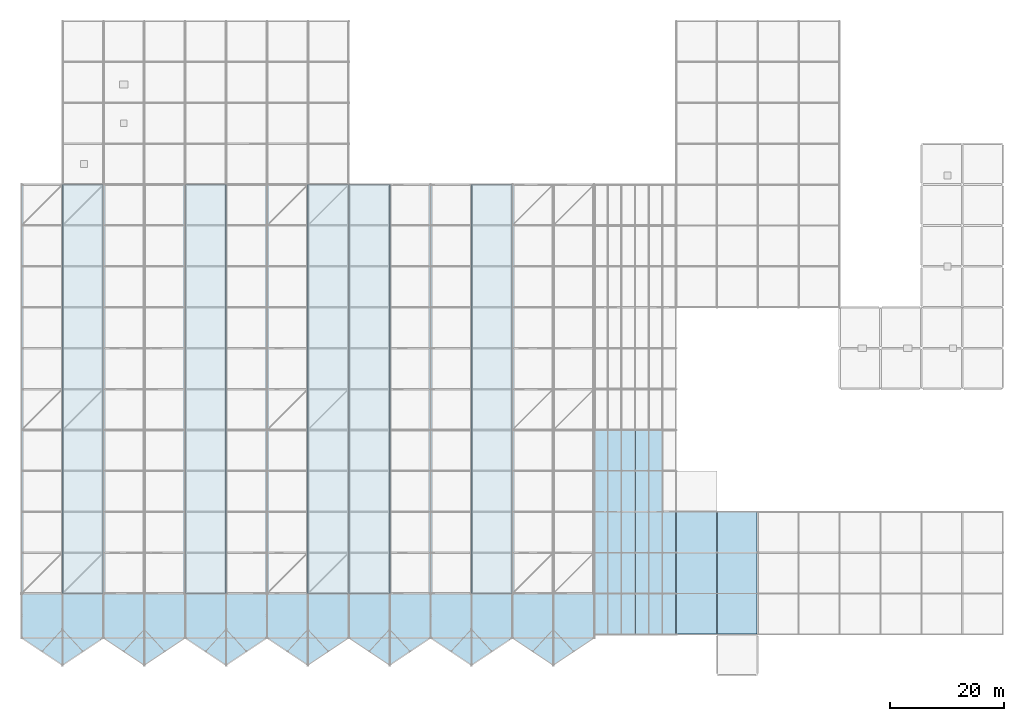
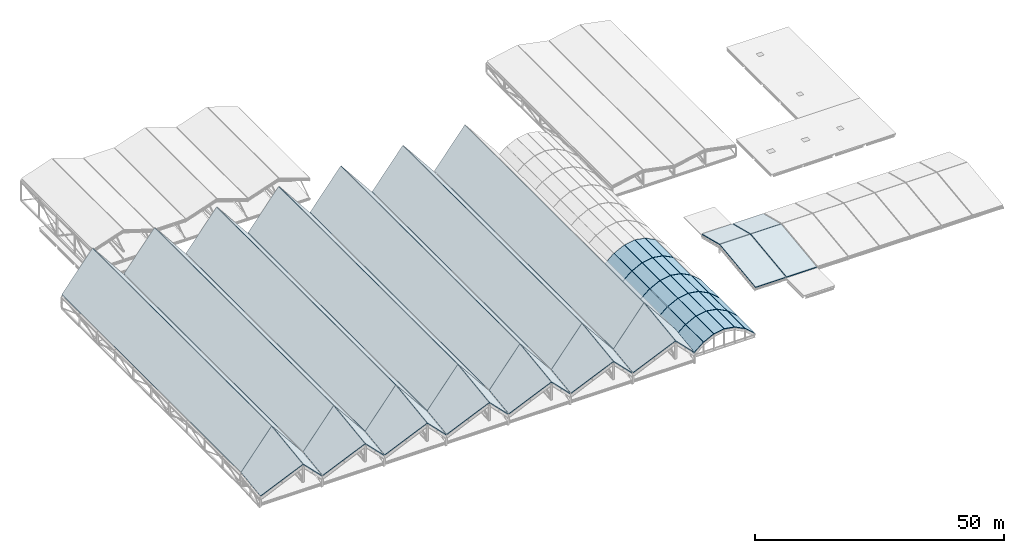
# One storey, part 58 of 60: 59 roofs.
"""IFC4 building model written with IfcOpenShell, lengths in metres."""

from ifc_helpers import new_model, si_unit, direction, frame, origin, place, context, subcontext, project, spatial, polyline, outline, extrude, material, layer, layer_set, type_object, element, save


model = new_model("IFC4")

# Units and contexts
model_context = context("Model", 3, precision=1e-05, world=origin(), true_north=direction((0.0, 1.0)))
body_context = subcontext(model_context, "Body", "Model", "MODEL_VIEW")
ifc_project = project(units=[si_unit("LENGTHUNIT", "METRE"), si_unit("AREAUNIT", "SQUARE_METRE"), si_unit("VOLUMEUNIT", "CUBIC_METRE"), si_unit("PLANEANGLEUNIT", "RADIAN"), si_unit("MASSUNIT", "GRAM", prefix="KILO")], contexts=[model_context])

# Site, building, storey
site_placement = place(None, origin())
site = spatial("IfcSite", under=ifc_project, at=site_placement, CompositionType="ELEMENT")
building_placement = place(site_placement, origin())
building = spatial("IfcBuilding", under=site, at=building_placement, Name="Vesperath Aquatics Centre", CompositionType="ELEMENT")
storey_placement = place(building_placement, frame((0.0, 0.0, 27.60009765625)))
storey = spatial("IfcBuildingStorey", under=building, at=storey_placement, Name="RF", CompositionType="ELEMENT", Elevation=27.60009765625)

# Roofs
ifc_material_1 = material(Name="Insulated zinc-copper and aerogel barrel vault roof")
ifc_layer_1 = layer(ifc_material_1, 0.199951171875)
ifc_layer_set_1 = layer_set([ifc_layer_1], Name="Insulated zinc-copper and aerogel barrel vault roof")
roof_type_1 = type_object("IfcRoofType", Name="RF-BV01", PredefinedType="BARREL_ROOF", material=ifc_layer_set_1)
roof_1_placement = place(storey_placement, frame((100.840087890625, 7.239990234375, -10.9501953125), z_axis=(-0.652968003317, 0.0, 0.757385494081), x_axis=(0.757385494081, 0.0, 0.652968003317)))
element("IfcRoof", 1, at=roof_1_placement, inside=storey, type_object=roof_type_1, Name="Conservatory Barrel Vault Facet RFB1 B-1", PredefinedType="BARREL_ROOF", context=body_context, shape_type="SweptSolid", body=[
    extrude(outline(polyline([(0.0, 0.0), (3.06293721873287, 0.0), (3.06293721873287, 7.120117187499999), (0.0, 7.120117187499999), (0.0, 0.0)])), origin(), (0.0, 0.0, -1.0), 0.199951171875),
])
roof_2_placement = place(storey_placement, frame((103.239990234375, 7.239990234375, -8.9501953125), z_axis=(-0.459471228617, 0.0, 0.888192653692), x_axis=(0.888192653692, 0.0, 0.459471228617)))
element("IfcRoof", 2, at=roof_2_placement, inside=storey, type_object=roof_type_1, Name="Conservatory Barrel Vault Facet RFB1 B-2", PredefinedType="BARREL_ROOF", context=body_context, shape_type="SweptSolid", body=[
    extrude(outline(polyline([(0.0, 0.0), (2.6121228876758416, 0.0), (2.6121228876758416, 7.1201171875), (0.0, 7.1201171875), (0.0, 0.0)])), origin(), (0.0, 0.0, -1.0), 0.199951171875),
])
for number, where, z_axis, x_axis, name in (
    (3, (105.639892578125, 7.239990234375, -7.75), (-0.169861771792, 0.0, 0.985467898251), (0.985467898251, 0.0, 0.169861771792), "Conservatory Barrel Vault Facet RFB1 B-3"),
    (4, (108.0400390625, 7.239990234375, -7.35009765625), (0.169861771792, 0.0, 0.985467898251), (0.985467898251, 0.0, -0.169861771792), "Conservatory Barrel Vault Facet RFB1 B-4"),
):
    element("IfcRoof", number, at=place(storey_placement, frame(where, z_axis=z_axis, x_axis=x_axis)), inside=storey, type_object=roof_type_1, Name=name, PredefinedType="BARREL_ROOF", context=body_context, shape_type="SweptSolid", body=[
        extrude(outline(polyline([(0.0, 0.0), (2.3542810105655927, 0.0), (2.3542810105655927, 7.1201171875), (0.0, 7.1201171875), (0.0, 0.0)])), origin(), (0.0, 0.0, -1.0), 0.199951171875),
    ])
roof_3_placement = place(storey_placement, frame((110.43994140625, 7.239990234375, -7.75), z_axis=(0.459471228617, 0.0, 0.888192653692), x_axis=(0.888192653692, 0.0, -0.459471228617)))
element("IfcRoof", 5, at=roof_3_placement, inside=storey, type_object=roof_type_1, Name="Conservatory Barrel Vault Facet RFB1 B-5", PredefinedType="BARREL_ROOF", context=body_context, shape_type="SweptSolid", body=[
    extrude(outline(polyline([(0.0, 0.0), (2.6121228876758416, 0.0), (2.6121228876758416, 7.1201171875), (0.0, 7.1201171875), (0.0, 0.0)])), origin(), (0.0, 0.0, -1.0), 0.199951171875),
])
for number, where, z_axis, x_axis, name in (
    (6, (112.840087890625, 7.239990234375, -8.9501953125), (0.652968003317, 0.0, 0.757385494081), (0.757385494081, 0.0, -0.652968003317), "Conservatory Barrel Vault Facet RFB1 B-6"),
    (7, (100.840087890625, 14.43994140625, -10.9501953125), (-0.652968003317, 0.0, 0.757385494081), (0.757385494081, 0.0, 0.652968003317), "Conservatory Barrel Vault Facet RFB1 C-1"),
):
    element("IfcRoof", number, at=place(storey_placement, frame(where, z_axis=z_axis, x_axis=x_axis)), inside=storey, type_object=roof_type_1, Name=name, PredefinedType="BARREL_ROOF", context=body_context, shape_type="SweptSolid", body=[
        extrude(outline(polyline([(0.0, 0.0), (3.06293721873287, 0.0), (3.06293721873287, 7.120117187499999), (0.0, 7.120117187499999), (0.0, 0.0)])), origin(), (0.0, 0.0, -1.0), 0.199951171875),
    ])
roof_4_placement = place(storey_placement, frame((103.239990234375, 14.43994140625, -8.9501953125), z_axis=(-0.459471228617, 0.0, 0.888192653692), x_axis=(0.888192653692, 0.0, 0.459471228617)))
element("IfcRoof", 8, at=roof_4_placement, inside=storey, type_object=roof_type_1, Name="Conservatory Barrel Vault Facet RFB1 C-2", PredefinedType="BARREL_ROOF", context=body_context, shape_type="SweptSolid", body=[
    extrude(outline(polyline([(0.0, 0.0), (2.6121228876758416, 0.0), (2.6121228876758416, 7.1201171875), (0.0, 7.1201171875), (0.0, 0.0)])), origin(), (0.0, 0.0, -1.0), 0.199951171875),
])
for number, where, z_axis, x_axis, name in (
    (9, (105.639892578125, 14.43994140625, -7.75), (-0.169861771792, 0.0, 0.985467898251), (0.985467898251, 0.0, 0.169861771792), "Conservatory Barrel Vault Facet RFB1 C-3"),
    (10, (108.0400390625, 14.43994140625, -7.35009765625), (0.169861771792, 0.0, 0.985467898251), (0.985467898251, 0.0, -0.169861771792), "Conservatory Barrel Vault Facet RFB1 C-4"),
):
    element("IfcRoof", number, at=place(storey_placement, frame(where, z_axis=z_axis, x_axis=x_axis)), inside=storey, type_object=roof_type_1, Name=name, PredefinedType="BARREL_ROOF", context=body_context, shape_type="SweptSolid", body=[
        extrude(outline(polyline([(0.0, 0.0), (2.3542810105655927, 0.0), (2.3542810105655927, 7.1201171875), (0.0, 7.1201171875), (0.0, 0.0)])), origin(), (0.0, 0.0, -1.0), 0.199951171875),
    ])
roof_5_placement = place(storey_placement, frame((110.43994140625, 14.43994140625, -7.75), z_axis=(0.459471228617, 0.0, 0.888192653692), x_axis=(0.888192653692, 0.0, -0.459471228617)))
element("IfcRoof", 11, at=roof_5_placement, inside=storey, type_object=roof_type_1, Name="Conservatory Barrel Vault Facet RFB1 C-5", PredefinedType="BARREL_ROOF", context=body_context, shape_type="SweptSolid", body=[
    extrude(outline(polyline([(0.0, 0.0), (2.6121228876758416, 0.0), (2.6121228876758416, 7.1201171875), (0.0, 7.1201171875), (0.0, 0.0)])), origin(), (0.0, 0.0, -1.0), 0.199951171875),
])
for number, where, z_axis, x_axis, name in (
    (12, (112.840087890625, 14.43994140625, -8.9501953125), (0.652968003317, 0.0, 0.757385494081), (0.757385494081, 0.0, -0.652968003317), "Conservatory Barrel Vault Facet RFB1 C-6"),
    (13, (100.840087890625, 21.639892578125, -10.9501953125), (-0.652968003317, 0.0, 0.757385494081), (0.757385494081, 0.0, 0.652968003317), "Conservatory Barrel Vault Facet RFB1 D-1"),
):
    element("IfcRoof", number, at=place(storey_placement, frame(where, z_axis=z_axis, x_axis=x_axis)), inside=storey, type_object=roof_type_1, Name=name, PredefinedType="BARREL_ROOF", context=body_context, shape_type="SweptSolid", body=[
        extrude(outline(polyline([(0.0, 0.0), (3.06293721873287, 0.0), (3.06293721873287, 7.120117187499999), (0.0, 7.120117187499999), (0.0, 0.0)])), origin(), (0.0, 0.0, -1.0), 0.199951171875),
    ])
roof_6_placement = place(storey_placement, frame((103.239990234375, 21.639892578125, -8.9501953125), z_axis=(-0.459471228617, 0.0, 0.888192653692), x_axis=(0.888192653692, 0.0, 0.459471228617)))
element("IfcRoof", 14, at=roof_6_placement, inside=storey, type_object=roof_type_1, Name="Conservatory Barrel Vault Facet RFB1 D-2", PredefinedType="BARREL_ROOF", context=body_context, shape_type="SweptSolid", body=[
    extrude(outline(polyline([(0.0, 0.0), (2.6121228876758416, 0.0), (2.6121228876758416, 7.1201171875), (0.0, 7.1201171875), (0.0, 0.0)])), origin(), (0.0, 0.0, -1.0), 0.199951171875),
])
for number, where, z_axis, x_axis, name in (
    (15, (105.639892578125, 21.639892578125, -7.75), (-0.169861771792, 0.0, 0.985467898251), (0.985467898251, 0.0, 0.169861771792), "Conservatory Barrel Vault Facet RFB1 D-3"),
    (16, (108.0400390625, 21.639892578125, -7.35009765625), (0.169861771792, 0.0, 0.985467898251), (0.985467898251, 0.0, -0.169861771792), "Conservatory Barrel Vault Facet RFB1 D-4"),
):
    element("IfcRoof", number, at=place(storey_placement, frame(where, z_axis=z_axis, x_axis=x_axis)), inside=storey, type_object=roof_type_1, Name=name, PredefinedType="BARREL_ROOF", context=body_context, shape_type="SweptSolid", body=[
        extrude(outline(polyline([(0.0, 0.0), (2.3542810105655927, 0.0), (2.3542810105655927, 7.1201171875), (0.0, 7.1201171875), (0.0, 0.0)])), origin(), (0.0, 0.0, -1.0), 0.199951171875),
    ])
roof_7_placement = place(storey_placement, frame((110.43994140625, 21.639892578125, -7.75), z_axis=(0.459471228617, 0.0, 0.888192653692), x_axis=(0.888192653692, 0.0, -0.459471228617)))
element("IfcRoof", 17, at=roof_7_placement, inside=storey, type_object=roof_type_1, Name="Conservatory Barrel Vault Facet RFB1 D-5", PredefinedType="BARREL_ROOF", context=body_context, shape_type="SweptSolid", body=[
    extrude(outline(polyline([(0.0, 0.0), (2.6121228876758416, 0.0), (2.6121228876758416, 7.1201171875), (0.0, 7.1201171875), (0.0, 0.0)])), origin(), (0.0, 0.0, -1.0), 0.199951171875),
])
roof_8_placement = place(storey_placement, frame((112.840087890625, 21.639892578125, -8.9501953125), z_axis=(0.652968003317, 0.0, 0.757385494081), x_axis=(0.757385494081, 0.0, -0.652968003317)))
element("IfcRoof", 18, at=roof_8_placement, inside=storey, type_object=roof_type_1, Name="Conservatory Barrel Vault Facet RFB1 D-6", PredefinedType="BARREL_ROOF", context=body_context, shape_type="SweptSolid", body=[
    extrude(outline(polyline([(0.0, 0.0), (3.06293721873287, 0.0), (3.06293721873287, 7.120117187499999), (0.0, 7.120117187499999), (0.0, 0.0)])), origin(), (0.0, 0.0, -1.0), 0.199951171875),
])
roof_9_placement = place(storey_placement, frame((100.840087890625, 28.840087890625, -10.9501953125), z_axis=(-0.652968003317, 0.0, 0.757385494081), x_axis=(0.757385494081, 0.0, 0.652968003317)))
element("IfcRoof", 19, at=roof_9_placement, inside=storey, type_object=roof_type_1, Name="Conservatory Barrel Vault Facet RFB1 E-1", PredefinedType="BARREL_ROOF", context=body_context, shape_type="SweptSolid", body=[
    extrude(outline(polyline([(0.0, 0.0), (3.06293721873287, 0.0), (3.06293721873287, 7.119873046875), (0.0, 7.119873046875), (0.0, 0.0)])), origin(), (0.0, 0.0, -1.0), 0.199951171875),
])
roof_10_placement = place(storey_placement, frame((103.239990234375, 28.840087890625, -8.9501953125), z_axis=(-0.459471228617, 0.0, 0.888192653692), x_axis=(0.888192653692, 0.0, 0.459471228617)))
element("IfcRoof", 20, at=roof_10_placement, inside=storey, type_object=roof_type_1, Name="Conservatory Barrel Vault Facet RFB1 E-2", PredefinedType="BARREL_ROOF", context=body_context, shape_type="SweptSolid", body=[
    extrude(outline(polyline([(0.0, 0.0), (2.6121228876758416, 0.0), (2.6121228876758416, 7.119873046874999), (0.0, 7.119873046874999), (0.0, 0.0)])), origin(), (0.0, 0.0, -1.0), 0.199951171875),
])
for number, where, z_axis, x_axis, name in (
    (21, (105.639892578125, 28.840087890625, -7.75), (-0.169861771792, 0.0, 0.985467898251), (0.985467898251, 0.0, 0.169861771792), "Conservatory Barrel Vault Facet RFB1 E-3"),
    (22, (108.0400390625, 28.840087890625, -7.35009765625), (0.169861771792, 0.0, 0.985467898251), (0.985467898251, 0.0, -0.169861771792), "Conservatory Barrel Vault Facet RFB1 E-4"),
):
    element("IfcRoof", number, at=place(storey_placement, frame(where, z_axis=z_axis, x_axis=x_axis)), inside=storey, type_object=roof_type_1, Name=name, PredefinedType="BARREL_ROOF", context=body_context, shape_type="SweptSolid", body=[
        extrude(outline(polyline([(0.0, 0.0), (2.3542810105655927, 0.0), (2.3542810105655927, 7.119873046875002), (0.0, 7.119873046875002), (0.0, 0.0)])), origin(), (0.0, 0.0, -1.0), 0.199951171875),
    ])
roof_11_placement = place(storey_placement, frame((110.43994140625, 28.840087890625, -7.75), z_axis=(0.459471228617, 0.0, 0.888192653692), x_axis=(0.888192653692, 0.0, -0.459471228617)))
element("IfcRoof", 23, at=roof_11_placement, inside=storey, type_object=roof_type_1, Name="Conservatory Barrel Vault Facet RFB1 E-5", PredefinedType="BARREL_ROOF", context=body_context, shape_type="SweptSolid", body=[
    extrude(outline(polyline([(0.0, 0.0), (2.6121228876758416, 0.0), (2.6121228876758416, 7.119873046874999), (0.0, 7.119873046874999), (0.0, 0.0)])), origin(), (0.0, 0.0, -1.0), 0.199951171875),
])
roof_12_placement = place(storey_placement, frame((100.840087890625, 36.0400390625, -10.9501953125), z_axis=(-0.652968003317, 0.0, 0.757385494081), x_axis=(0.757385494081, 0.0, 0.652968003317)))
element("IfcRoof", 24, at=roof_12_placement, inside=storey, type_object=roof_type_1, Name="Conservatory Barrel Vault Facet RFB1 F-1", PredefinedType="BARREL_ROOF", context=body_context, shape_type="SweptSolid", body=[
    extrude(outline(polyline([(0.0, 0.0), (3.06293721873287, 0.0), (3.06293721873287, 7.119873046875), (0.0, 7.119873046875), (0.0, 0.0)])), origin(), (0.0, 0.0, -1.0), 0.199951171875),
])
roof_13_placement = place(storey_placement, frame((103.239990234375, 36.0400390625, -8.9501953125), z_axis=(-0.459471228617, 0.0, 0.888192653692), x_axis=(0.888192653692, 0.0, 0.459471228617)))
element("IfcRoof", 25, at=roof_13_placement, inside=storey, type_object=roof_type_1, Name="Conservatory Barrel Vault Facet RFB1 F-2", PredefinedType="BARREL_ROOF", context=body_context, shape_type="SweptSolid", body=[
    extrude(outline(polyline([(0.0, 0.0), (2.6121228876758416, 0.0), (2.6121228876758416, 7.119873046874999), (0.0, 7.119873046874999), (0.0, 0.0)])), origin(), (0.0, 0.0, -1.0), 0.199951171875),
])
for number, where, z_axis, x_axis, name in (
    (26, (105.639892578125, 36.0400390625, -7.75), (-0.169861771792, 0.0, 0.985467898251), (0.985467898251, 0.0, 0.169861771792), "Conservatory Barrel Vault Facet RFB1 F-3"),
    (27, (108.0400390625, 36.0400390625, -7.35009765625), (0.169861771792, 0.0, 0.985467898251), (0.985467898251, 0.0, -0.169861771792), "Conservatory Barrel Vault Facet RFB1 F-4"),
):
    element("IfcRoof", number, at=place(storey_placement, frame(where, z_axis=z_axis, x_axis=x_axis)), inside=storey, type_object=roof_type_1, Name=name, PredefinedType="BARREL_ROOF", context=body_context, shape_type="SweptSolid", body=[
        extrude(outline(polyline([(0.0, 0.0), (2.3542810105655927, 0.0), (2.3542810105655927, 7.119873046875002), (0.0, 7.119873046875002), (0.0, 0.0)])), origin(), (0.0, 0.0, -1.0), 0.199951171875),
    ])
roof_14_placement = place(storey_placement, frame((110.43994140625, 36.0400390625, -7.75), z_axis=(0.459471228617, 0.0, 0.888192653692), x_axis=(0.888192653692, 0.0, -0.459471228617)))
element("IfcRoof", 28, at=roof_14_placement, inside=storey, type_object=roof_type_1, Name="Conservatory Barrel Vault Facet RFB1 F-5", PredefinedType="BARREL_ROOF", context=body_context, shape_type="SweptSolid", body=[
    extrude(outline(polyline([(0.0, 0.0), (2.6121228876758416, 0.0), (2.6121228876758416, 7.119873046874999), (0.0, 7.119873046874999), (0.0, 0.0)])), origin(), (0.0, 0.0, -1.0), 0.199951171875),
])
ifc_material_2 = material(Name="Patinated zinc-copper standing-seam insulated roof")
ifc_layer_2 = layer(ifc_material_2, 0.219970703125)
ifc_layer_set_2 = layer_set([ifc_layer_2], Name="Patinated zinc-copper standing-seam insulated roof")
roof_type_2 = type_object("IfcRoofType", Name="RF-GB01", PredefinedType="GABLE_ROOF", material=ifc_layer_set_2)
roof_15_placement = place(storey_placement, frame((0.06005859375, 6.60009765625, -10.205810546875), z_axis=(-0.778173895583, -0.083064325207, 0.622531690849), x_axis=(0.597163955153, -0.404869103069, 0.692442214229)))
element("IfcRoof", 29, at=roof_15_placement, inside=storey, type_object=roof_type_2, Name="Natatorium Dark Folded Gable Roof Bay 1-W-HOOD", PredefinedType="GABLE_ROOF", context=body_context, shape_type="SweptSolid", body=[
    extrude(outline(polyline([(0.0, 0.0), (11.855798551411182, 4.440892098500626e-16), (7.918608011100272, 12.086401965292305), (-2.43722581679544, 7.48198427978919), (0.0, 0.0)])), origin(), (0.0, 0.0, -1.0), 0.219970703125),
])
roof_16_placement = place(storey_placement, frame((0.06005859375, 14.419921875, -9.1650390625), z_axis=(-0.780870911084, 0.0, 0.624692420495), x_axis=(0.624692420495, 0.0, 0.780870911084)))
element("IfcRoof", 30, at=roof_16_placement, inside=storey, type_object=roof_type_2, Name="Natatorium Dark Folded Gable Roof Bay 1-W-HALL", PredefinedType="GABLE_ROOF", context=body_context, shape_type="SweptSolid", body=[
    extrude(outline(polyline([(0.0, 0.0), (11.333311806102017, 0.0), (11.333311806102017, 71.97998046875), (0.0, 71.97998046875), (0.0, 0.0)])), origin(), (0.0, 0.0, -1.0), 0.219970703125),
])
roof_17_placement = place(storey_placement, frame((7.260009765625, 1.800048828125, -1.996337890625), z_axis=(0.778163310868, -0.083066059713, 0.622544690237), x_axis=(0.597177204065, 0.404864124365, -0.692433699171)))
element("IfcRoof", 31, at=roof_17_placement, inside=storey, type_object=roof_type_2, Name="Natatorium Dark Folded Gable Roof Bay 1-E-HOOD", PredefinedType="GABLE_ROOF", context=body_context, shape_type="SweptSolid", body=[
    extrude(outline(polyline([(0.0, 0.0), (11.855944344565547, 0.0), (14.293140190670387, 7.48199404255283), (3.937142124477336, 12.086417736823492), (0.0, 0.0)])), origin(), (0.0, 0.0, -1.0), 0.219970703125),
])
roof_18_placement = place(storey_placement, frame((7.260009765625, 14.419921875, -0.315185546875), z_axis=(0.780860402906, 0.0, 0.624705555581), x_axis=(0.624705555581, 0.0, -0.780860402906)))
element("IfcRoof", 32, at=roof_18_placement, inside=storey, type_object=roof_type_2, Name="Natatorium Dark Folded Gable Roof Bay 1-E-HALL", PredefinedType="GABLE_ROOF", context=body_context, shape_type="SweptSolid", body=[
    extrude(outline(polyline([(0.0, 0.0), (11.333464320503404, 0.0), (11.333464320503404, 71.97998046874999), (0.0, 71.97998046874999), (0.0, 0.0)])), origin(), (0.0, 0.0, -1.0), 0.219970703125),
])
roof_19_placement = place(storey_placement, frame((14.4599609375, 6.60009765625, -10.205810546875), z_axis=(-0.778163310868, -0.083066059713, 0.622544690237), x_axis=(0.597177204065, -0.404864124365, 0.692433699171)))
element("IfcRoof", 33, at=roof_19_placement, inside=storey, type_object=roof_type_2, Name="Natatorium Dark Folded Gable Roof Bay 2-W-HOOD", PredefinedType="GABLE_ROOF", context=body_context, shape_type="SweptSolid", body=[
    extrude(outline(polyline([(0.0, 0.0), (11.855944344565547, 0.0), (7.91880222008821, 12.086417736823492), (-2.4371958461048413, 7.481994042552831), (0.0, 0.0)])), origin(), (0.0, 0.0, -1.0), 0.219970703125),
])
roof_20_placement = place(storey_placement, frame((14.4599609375, 14.419921875, -9.1650390625), z_axis=(-0.780860402906, 0.0, 0.624705555581), x_axis=(0.624705555581, 0.0, 0.780860402906)))
element("IfcRoof", 34, at=roof_20_placement, inside=storey, type_object=roof_type_2, Name="Natatorium Dark Folded Gable Roof Bay 2-W-HALL", PredefinedType="GABLE_ROOF", context=body_context, shape_type="SweptSolid", body=[
    extrude(outline(polyline([(0.0, 0.0), (11.333464320503404, 0.0), (11.333464320503404, 71.97998046874999), (0.0, 71.97998046874999), (0.0, 0.0)])), origin(), (0.0, 0.0, -1.0), 0.219970703125),
])
roof_21_placement = place(storey_placement, frame((21.659912109375, 1.800048828125, -1.996337890625), z_axis=(0.778163310868, -0.083066059713, 0.622544690237), x_axis=(0.597177204065, 0.404864124365, -0.692433699171)))
element("IfcRoof", 35, at=roof_21_placement, inside=storey, type_object=roof_type_2, Name="Natatorium Dark Folded Gable Roof Bay 2-E-HOOD", PredefinedType="GABLE_ROOF", context=body_context, shape_type="SweptSolid", body=[
    extrude(outline(polyline([(0.0, 0.0), (11.855944344565547, 0.0), (14.293140190670387, 7.48199404255283), (3.937142124477336, 12.086417736823492), (0.0, 0.0)])), origin(), (0.0, 0.0, -1.0), 0.219970703125),
])
roof_22_placement = place(storey_placement, frame((21.659912109375, 14.419921875, -0.315185546875), z_axis=(0.780860402906, 0.0, 0.624705555581), x_axis=(0.624705555581, 0.0, -0.780860402906)))
element("IfcRoof", 36, at=roof_22_placement, inside=storey, type_object=roof_type_2, Name="Natatorium Dark Folded Gable Roof Bay 2-E-HALL", PredefinedType="GABLE_ROOF", context=body_context, shape_type="SweptSolid", body=[
    extrude(outline(polyline([(0.0, 0.0), (11.333464320503404, 0.0), (11.333464320503404, 71.97998046874999), (0.0, 71.97998046874999), (0.0, 0.0)])), origin(), (0.0, 0.0, -1.0), 0.219970703125),
])
roof_23_placement = place(storey_placement, frame((28.860107421875, 6.60009765625, -10.205810546875), z_axis=(-0.778173895583, -0.083064325207, 0.622531690849), x_axis=(0.597163955153, -0.404869103069, 0.692442214229)))
element("IfcRoof", 37, at=roof_23_placement, inside=storey, type_object=roof_type_2, Name="Natatorium Dark Folded Gable Roof Bay 3-W-HOOD", PredefinedType="GABLE_ROOF", context=body_context, shape_type="SweptSolid", body=[
    extrude(outline(polyline([(0.0, 0.0), (11.855798551411182, 4.440892098500626e-16), (7.918608011100272, 12.086401965292305), (-2.43722581679544, 7.48198427978919), (0.0, 0.0)])), origin(), (0.0, 0.0, -1.0), 0.219970703125),
])
roof_24_placement = place(storey_placement, frame((28.860107421875, 14.419921875, -9.1650390625), z_axis=(-0.780870911084, 0.0, 0.624692420495), x_axis=(0.624692420495, 0.0, 0.780870911084)))
element("IfcRoof", 38, at=roof_24_placement, inside=storey, type_object=roof_type_2, Name="Natatorium Dark Folded Gable Roof Bay 3-W-HALL", PredefinedType="GABLE_ROOF", context=body_context, shape_type="SweptSolid", body=[
    extrude(outline(polyline([(0.0, 0.0), (11.333311806102017, 0.0), (11.333311806102017, 71.97998046875), (0.0, 71.97998046875), (0.0, 0.0)])), origin(), (0.0, 0.0, -1.0), 0.219970703125),
])
roof_25_placement = place(storey_placement, frame((36.06005859375, 1.800048828125, -1.996337890625), z_axis=(0.778173895583, -0.083064325207, 0.622531690849), x_axis=(0.597163955153, 0.404869103069, -0.692442214229)))
element("IfcRoof", 39, at=roof_25_placement, inside=storey, type_object=roof_type_2, Name="Natatorium Dark Folded Gable Roof Bay 3-E-HOOD", PredefinedType="GABLE_ROOF", context=body_context, shape_type="SweptSolid", body=[
    extrude(outline(polyline([(0.0, 0.0), (11.855798551411182, -4.440892098500626e-16), (14.29302436820662, 7.48198427978919), (3.9371905403109095, 12.086401965292307), (0.0, 0.0)])), origin(), (0.0, 0.0, -1.0), 0.219970703125),
])
roof_26_placement = place(storey_placement, frame((36.06005859375, 14.419921875, -0.315185546875), z_axis=(0.780870911084, 0.0, 0.624692420495), x_axis=(0.624692420495, 0.0, -0.780870911084)))
element("IfcRoof", 40, at=roof_26_placement, inside=storey, type_object=roof_type_2, Name="Natatorium Dark Folded Gable Roof Bay 3-E-HALL", PredefinedType="GABLE_ROOF", context=body_context, shape_type="SweptSolid", body=[
    extrude(outline(polyline([(0.0, 0.0), (11.333311806102017, 0.0), (11.333311806102017, 71.97998046875), (0.0, 71.97998046875), (0.0, 0.0)])), origin(), (0.0, 0.0, -1.0), 0.219970703125),
])
roof_27_placement = place(storey_placement, frame((43.260009765625, 6.60009765625, -10.205810546875), z_axis=(-0.778163310868, -0.083066059713, 0.622544690237), x_axis=(0.597177204065, -0.404864124365, 0.692433699171)))
element("IfcRoof", 41, at=roof_27_placement, inside=storey, type_object=roof_type_2, Name="Natatorium Dark Folded Gable Roof Bay 4-W-HOOD", PredefinedType="GABLE_ROOF", context=body_context, shape_type="SweptSolid", body=[
    extrude(outline(polyline([(0.0, 0.0), (11.855944344565547, 0.0), (7.91880222008821, 12.086417736823492), (-2.4371958461048413, 7.481994042552831), (0.0, 0.0)])), origin(), (0.0, 0.0, -1.0), 0.219970703125),
])
roof_28_placement = place(storey_placement, frame((43.260009765625, 14.419921875, -9.1650390625), z_axis=(-0.780860402906, 0.0, 0.624705555581), x_axis=(0.624705555581, 0.0, 0.780860402906)))
element("IfcRoof", 42, at=roof_28_placement, inside=storey, type_object=roof_type_2, Name="Natatorium Dark Folded Gable Roof Bay 4-W-HALL", PredefinedType="GABLE_ROOF", context=body_context, shape_type="SweptSolid", body=[
    extrude(outline(polyline([(0.0, 0.0), (11.333464320503404, 0.0), (11.333464320503404, 71.97998046874999), (0.0, 71.97998046874999), (0.0, 0.0)])), origin(), (0.0, 0.0, -1.0), 0.219970703125),
])
roof_29_placement = place(storey_placement, frame((50.4599609375, 1.800048828125, -1.996337890625), z_axis=(0.778163310868, -0.083066059713, 0.622544690237), x_axis=(0.597177204065, 0.404864124365, -0.692433699171)))
element("IfcRoof", 43, at=roof_29_placement, inside=storey, type_object=roof_type_2, Name="Natatorium Dark Folded Gable Roof Bay 4-E-HOOD", PredefinedType="GABLE_ROOF", context=body_context, shape_type="SweptSolid", body=[
    extrude(outline(polyline([(0.0, 0.0), (11.855944344565547, 0.0), (14.293140190670387, 7.48199404255283), (3.937142124477336, 12.086417736823492), (0.0, 0.0)])), origin(), (0.0, 0.0, -1.0), 0.219970703125),
])
roof_30_placement = place(storey_placement, frame((50.4599609375, 14.419921875, -0.315185546875), z_axis=(0.780860402906, 0.0, 0.624705555581), x_axis=(0.624705555581, 0.0, -0.780860402906)))
element("IfcRoof", 44, at=roof_30_placement, inside=storey, type_object=roof_type_2, Name="Natatorium Dark Folded Gable Roof Bay 4-E-HALL", PredefinedType="GABLE_ROOF", context=body_context, shape_type="SweptSolid", body=[
    extrude(outline(polyline([(0.0, 0.0), (11.333464320503404, 0.0), (11.333464320503404, 71.97998046874999), (0.0, 71.97998046874999), (0.0, 0.0)])), origin(), (0.0, 0.0, -1.0), 0.219970703125),
])
roof_31_placement = place(storey_placement, frame((57.659912109375, 6.60009765625, -10.205810546875), z_axis=(-0.778163310868, -0.083066059713, 0.622544690237), x_axis=(0.597177204065, -0.404864124365, 0.692433699171)))
element("IfcRoof", 45, at=roof_31_placement, inside=storey, type_object=roof_type_2, Name="Natatorium Dark Folded Gable Roof Bay 5-W-HOOD", PredefinedType="GABLE_ROOF", context=body_context, shape_type="SweptSolid", body=[
    extrude(outline(polyline([(0.0, 0.0), (11.855944344565547, 0.0), (7.91880222008821, 12.086417736823492), (-2.4371958461048413, 7.481994042552831), (0.0, 0.0)])), origin(), (0.0, 0.0, -1.0), 0.219970703125),
])
roof_32_placement = place(storey_placement, frame((57.659912109375, 14.419921875, -9.1650390625), z_axis=(-0.780860402906, 0.0, 0.624705555581), x_axis=(0.624705555581, 0.0, 0.780860402906)))
element("IfcRoof", 46, at=roof_32_placement, inside=storey, type_object=roof_type_2, Name="Natatorium Dark Folded Gable Roof Bay 5-W-HALL", PredefinedType="GABLE_ROOF", context=body_context, shape_type="SweptSolid", body=[
    extrude(outline(polyline([(0.0, 0.0), (11.333464320503404, 0.0), (11.333464320503404, 71.97998046874999), (0.0, 71.97998046874999), (0.0, 0.0)])), origin(), (0.0, 0.0, -1.0), 0.219970703125),
])
roof_33_placement = place(storey_placement, frame((64.860107421875, 1.800048828125, -1.996337890625), z_axis=(0.778173895583, -0.083064325207, 0.622531690849), x_axis=(0.597163955153, 0.404869103069, -0.692442214229)))
element("IfcRoof", 47, at=roof_33_placement, inside=storey, type_object=roof_type_2, Name="Natatorium Dark Folded Gable Roof Bay 5-E-HOOD", PredefinedType="GABLE_ROOF", context=body_context, shape_type="SweptSolid", body=[
    extrude(outline(polyline([(0.0, 0.0), (11.855798551411182, -4.440892098500626e-16), (14.29302436820662, 7.48198427978919), (3.9371905403109095, 12.086401965292307), (0.0, 0.0)])), origin(), (0.0, 0.0, -1.0), 0.219970703125),
])
roof_34_placement = place(storey_placement, frame((64.860107421875, 14.419921875, -0.315185546875), z_axis=(0.780870911084, 0.0, 0.624692420495), x_axis=(0.624692420495, 0.0, -0.780870911084)))
element("IfcRoof", 48, at=roof_34_placement, inside=storey, type_object=roof_type_2, Name="Natatorium Dark Folded Gable Roof Bay 5-E-HALL", PredefinedType="GABLE_ROOF", context=body_context, shape_type="SweptSolid", body=[
    extrude(outline(polyline([(0.0, 0.0), (11.333311806102017, 0.0), (11.333311806102017, 71.97998046875), (0.0, 71.97998046875), (0.0, 0.0)])), origin(), (0.0, 0.0, -1.0), 0.219970703125),
])
roof_35_placement = place(storey_placement, frame((72.06005859375, 6.60009765625, -10.205810546875), z_axis=(-0.778173895583, -0.083064325207, 0.622531690849), x_axis=(0.597163955153, -0.404869103069, 0.692442214229)))
element("IfcRoof", 49, at=roof_35_placement, inside=storey, type_object=roof_type_2, Name="Natatorium Dark Folded Gable Roof Bay 6-W-HOOD", PredefinedType="GABLE_ROOF", context=body_context, shape_type="SweptSolid", body=[
    extrude(outline(polyline([(0.0, 0.0), (11.855798551411182, 4.440892098500626e-16), (7.918608011100272, 12.086401965292305), (-2.43722581679544, 7.48198427978919), (0.0, 0.0)])), origin(), (0.0, 0.0, -1.0), 0.219970703125),
])
roof_36_placement = place(storey_placement, frame((72.06005859375, 14.419921875, -9.1650390625), z_axis=(-0.780870911084, 0.0, 0.624692420495), x_axis=(0.624692420495, 0.0, 0.780870911084)))
element("IfcRoof", 50, at=roof_36_placement, inside=storey, type_object=roof_type_2, Name="Natatorium Dark Folded Gable Roof Bay 6-W-HALL", PredefinedType="GABLE_ROOF", context=body_context, shape_type="SweptSolid", body=[
    extrude(outline(polyline([(0.0, 0.0), (11.333311806102017, 0.0), (11.333311806102017, 71.97998046875), (0.0, 71.97998046875), (0.0, 0.0)])), origin(), (0.0, 0.0, -1.0), 0.219970703125),
])
roof_37_placement = place(storey_placement, frame((79.260009765625, 1.800048828125, -1.996337890625), z_axis=(0.778163310868, -0.083066059713, 0.622544690237), x_axis=(0.597177204065, 0.404864124365, -0.692433699171)))
element("IfcRoof", 51, at=roof_37_placement, inside=storey, type_object=roof_type_2, Name="Natatorium Dark Folded Gable Roof Bay 6-E-HOOD", PredefinedType="GABLE_ROOF", context=body_context, shape_type="SweptSolid", body=[
    extrude(outline(polyline([(0.0, 0.0), (11.855944344565547, 0.0), (14.293140190670387, 7.48199404255283), (3.937142124477336, 12.086417736823492), (0.0, 0.0)])), origin(), (0.0, 0.0, -1.0), 0.219970703125),
])
roof_38_placement = place(storey_placement, frame((79.260009765625, 14.419921875, -0.315185546875), z_axis=(0.780860402906, 0.0, 0.624705555581), x_axis=(0.624705555581, 0.0, -0.780860402906)))
element("IfcRoof", 52, at=roof_38_placement, inside=storey, type_object=roof_type_2, Name="Natatorium Dark Folded Gable Roof Bay 6-E-HALL", PredefinedType="GABLE_ROOF", context=body_context, shape_type="SweptSolid", body=[
    extrude(outline(polyline([(0.0, 0.0), (11.333464320503404, 0.0), (11.333464320503404, 71.97998046874999), (0.0, 71.97998046874999), (0.0, 0.0)])), origin(), (0.0, 0.0, -1.0), 0.219970703125),
])
roof_39_placement = place(storey_placement, frame((86.4599609375, 6.60009765625, -10.205810546875), z_axis=(-0.778163310868, -0.083066059713, 0.622544690237), x_axis=(0.597177204065, -0.404864124365, 0.692433699171)))
element("IfcRoof", 53, at=roof_39_placement, inside=storey, type_object=roof_type_2, Name="Natatorium Dark Folded Gable Roof Bay 7-W-HOOD", PredefinedType="GABLE_ROOF", context=body_context, shape_type="SweptSolid", body=[
    extrude(outline(polyline([(0.0, 0.0), (11.855944344565547, 0.0), (7.91880222008821, 12.086417736823492), (-2.4371958461048413, 7.481994042552831), (0.0, 0.0)])), origin(), (0.0, 0.0, -1.0), 0.219970703125),
])
roof_40_placement = place(storey_placement, frame((86.4599609375, 14.419921875, -9.1650390625), z_axis=(-0.780860402906, 0.0, 0.624705555581), x_axis=(0.624705555581, 0.0, 0.780860402906)))
element("IfcRoof", 54, at=roof_40_placement, inside=storey, type_object=roof_type_2, Name="Natatorium Dark Folded Gable Roof Bay 7-W-HALL", PredefinedType="GABLE_ROOF", context=body_context, shape_type="SweptSolid", body=[
    extrude(outline(polyline([(0.0, 0.0), (11.333464320503404, 0.0), (11.333464320503404, 71.97998046874999), (0.0, 71.97998046874999), (0.0, 0.0)])), origin(), (0.0, 0.0, -1.0), 0.219970703125),
])
roof_41_placement = place(storey_placement, frame((93.659912109375, 1.800048828125, -1.996337890625), z_axis=(0.778163310868, -0.083066059713, 0.622544690237), x_axis=(0.597177204065, 0.404864124365, -0.692433699171)))
element("IfcRoof", 55, at=roof_41_placement, inside=storey, type_object=roof_type_2, Name="Natatorium Dark Folded Gable Roof Bay 7-E-HOOD", PredefinedType="GABLE_ROOF", context=body_context, shape_type="SweptSolid", body=[
    extrude(outline(polyline([(0.0, 0.0), (11.855944344565547, 0.0), (14.293140190670387, 7.48199404255283), (3.937142124477336, 12.086417736823492), (0.0, 0.0)])), origin(), (0.0, 0.0, -1.0), 0.219970703125),
])
roof_42_placement = place(storey_placement, frame((115.300048828125, 7.239990234375, 0.2998046875), z_axis=(0.0, -0.124805543827, 0.992181221466), x_axis=(1.0, 0.0, 0.0)))
element("IfcRoof", 56, at=roof_42_placement, inside=storey, type_object=roof_type_2, Name="Boulevard Snow-Shedding Roof S-17", PredefinedType="GABLE_ROOF", context=body_context, shape_type="SweptSolid", body=[
    extrude(outline(polyline([(0.0, 0.0), (7.0, 0.0), (7.0, 14.422827487708242), (0.0, 14.422827487708242), (0.0, 0.0)])), origin(), (0.0, 0.0, -1.0), 0.219970703125),
])
roof_43_placement = place(storey_placement, frame((115.300048828125, 21.64990234375, 2.099853515625), z_axis=(0.0, 0.245424638793, 0.969415672802), x_axis=(1.0, 0.0, 0.0)))
element("IfcRoof", 57, at=roof_43_placement, inside=storey, type_object=roof_type_2, Name="Boulevard Snow-Shedding Roof N-17", PredefinedType="GABLE_ROOF", context=body_context, shape_type="SweptSolid", body=[
    extrude(outline(polyline([(0.0, 0.0), (7.0, 0.0), (7.0, 7.3344259035207475), (0.0, 7.3344259035207475), (0.0, 0.0)])), origin(), (0.0, 0.0, -1.0), 0.219970703125),
])
roof_44_placement = place(storey_placement, frame((122.5, 7.239990234375, 0.2998046875), z_axis=(0.0, -0.124805543827, 0.992181221466), x_axis=(1.0, 0.0, 0.0)))
element("IfcRoof", 58, at=roof_44_placement, inside=storey, type_object=roof_type_2, Name="Boulevard Snow-Shedding Roof S-18", PredefinedType="GABLE_ROOF", context=body_context, shape_type="SweptSolid", body=[
    extrude(outline(polyline([(0.0, 0.0), (7.0, 0.0), (7.0, 14.422827487708242), (0.0, 14.422827487708242), (0.0, 0.0)])), origin(), (0.0, 0.0, -1.0), 0.219970703125),
])
roof_45_placement = place(storey_placement, frame((122.5, 21.64990234375, 2.099853515625), z_axis=(0.0, 0.245424638793, 0.969415672802), x_axis=(1.0, 0.0, 0.0)))
element("IfcRoof", 59, at=roof_45_placement, inside=storey, type_object=roof_type_2, Name="Boulevard Snow-Shedding Roof N-18", PredefinedType="GABLE_ROOF", context=body_context, shape_type="SweptSolid", body=[
    extrude(outline(polyline([(0.0, 0.0), (7.0, 0.0), (7.0, 7.3344259035207475), (0.0, 7.3344259035207475), (0.0, 0.0)])), origin(), (0.0, 0.0, -1.0), 0.219970703125),
])

save(model, "model.ifc")
